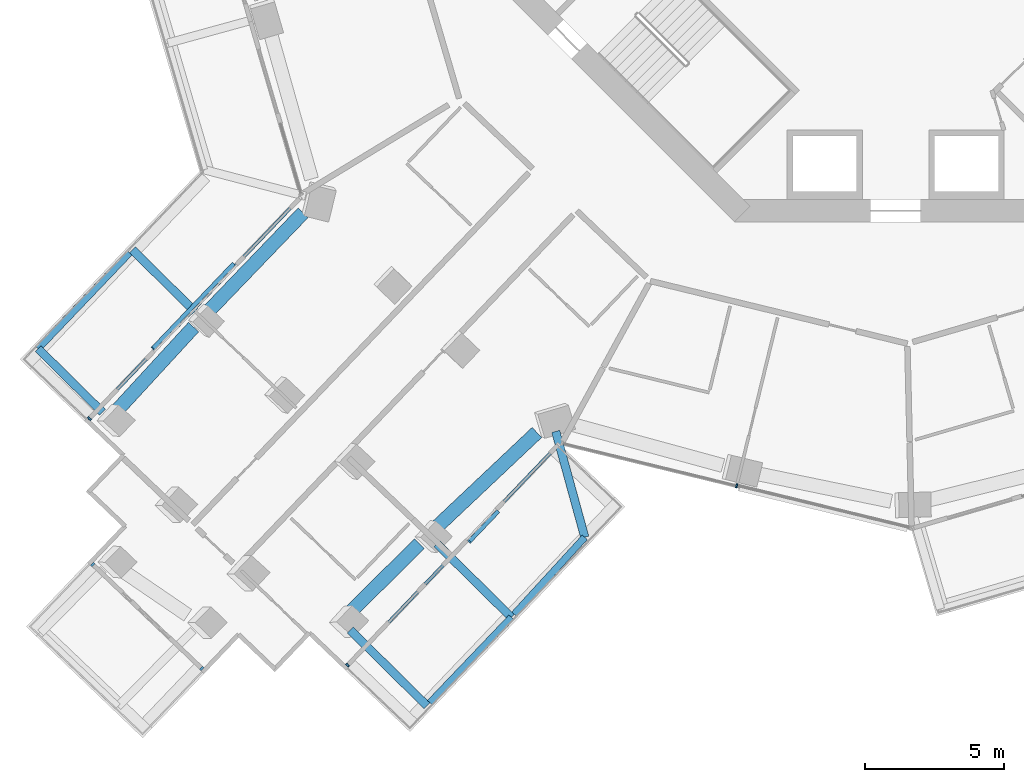
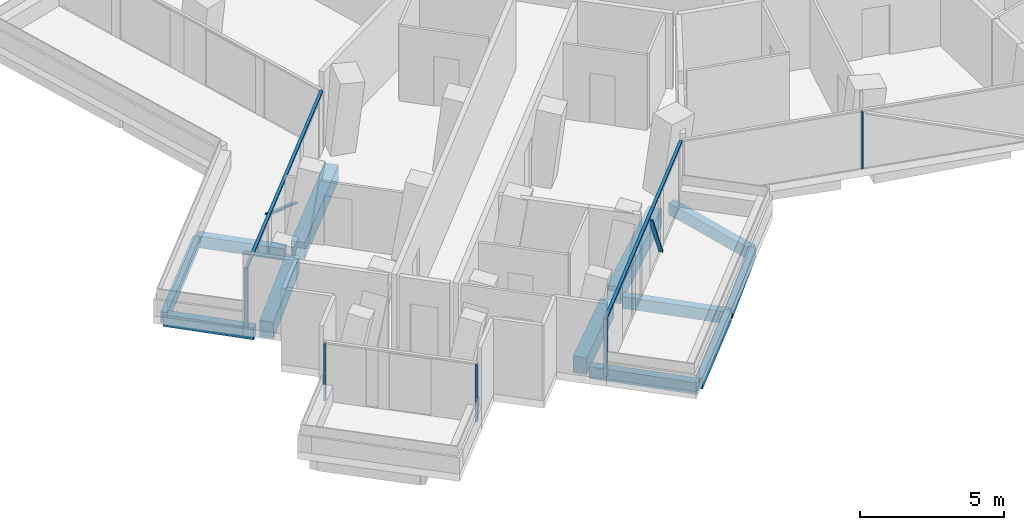
# One storey, part 2 of 25: 12 beams, 9 members, 4 elements without a shape of their own.
"""IFC4 building model written with IfcOpenShell, lengths in metres."""

from ifc_helpers import new_model, si_unit, direction, frame, origin, origin_2d, place, context, subcontext, project, spatial, rectangle, extrude, material, layer, layer_set, material_profile, profile_set, type_object, element, aggregate, save


model = new_model("IFC4")

# Units and contexts
model_context = context("Model", 3, precision=1e-05, world=origin(), true_north=direction((0.0, 1.0)))
body_context = subcontext(model_context, "Body", "Model", "MODEL_VIEW")
ifc_project = project(units=[si_unit("LENGTHUNIT", "METRE"), si_unit("AREAUNIT", "SQUARE_METRE"), si_unit("VOLUMEUNIT", "CUBIC_METRE"), si_unit("PLANEANGLEUNIT", "RADIAN"), si_unit("MASSUNIT", "GRAM", prefix="KILO")], contexts=[model_context])

# Site, building, storey
site_placement = place(None, origin())
site = spatial("IfcSite", under=ifc_project, at=site_placement, CompositionType="ELEMENT")
building_placement = place(site_placement, origin())
building = spatial("IfcBuilding", under=site, at=building_placement, Name="Verdalira Terraces Hotel", CompositionType="ELEMENT")
storey_placement = place(building_placement, frame((0.0, 0.0, 100.0)))
storey = spatial("IfcBuildingStorey", under=building, at=storey_placement, Name="L23", CompositionType="ELEMENT", Elevation=100.0)

# Beams
ifc_material_1 = material(Name="Concrete C40", Category="concrete")
ifc_material_profile_1 = material_profile(ifc_material_1, rectangle(XDim=0.300049, YDim=0.5, at=origin_2d()), Name="RC 300X500")
ifc_profile_set_1 = profile_set([ifc_material_profile_1], Name="Concrete C40")
beam_type_1 = type_object("IfcBeamType", Name="Balcony cantilever beam RC 300X500 C40", PredefinedType="BEAM", material=ifc_profile_set_1)
beam_1_placement = place(storey_placement, frame((-25.218506, -17.221436, -0.560059), z_axis=(-0.711579565, 0.702605524, 0.0), x_axis=(-0.702605524, -0.711579565, 0.0)))
element("IfcBeam", 1, at=beam_1_placement, inside=storey, type_object=beam_type_1, Name="Balcony cantilever beam R13-1", PredefinedType="BEAM", context=body_context, shape_type="SweptSolid", body=[
    extrude(rectangle(XDim=0.300049, YDim=0.5, at=origin_2d()), origin(), (0.0, 0.0, 1.0), 3.155762),
])
beam_2_placement = place(storey_placement, frame((-28.541992, -20.849609, -0.560059), z_axis=(-0.711514164, 0.702671755, 0.0), x_axis=(-0.702671755, -0.711514164, 0.0)))
element("IfcBeam", 2, at=beam_2_placement, inside=storey, type_object=beam_type_1, Name="Balcony cantilever beam R13-2", PredefinedType="BEAM", context=body_context, shape_type="SweptSolid", body=[
    extrude(rectangle(XDim=0.300049, YDim=0.5, at=origin_2d()), origin(), (0.0, 0.0, 1.0), 3.258057),
])
beam_3_placement = place(storey_placement, frame((-19.625732, -28.686523, -0.560059), z_axis=(0.711557606, -0.702627763, 0.0), x_axis=(0.702627763, 0.711557606, 0.0)))
element("IfcBeam", 3, at=beam_3_placement, inside=storey, type_object=beam_type_1, Name="Balcony cantilever beam R24-1", PredefinedType="BEAM", context=body_context, shape_type="SweptSolid", body=[
    extrude(rectangle(XDim=0.300049, YDim=0.5, at=origin_2d()), origin(), (0.0, 0.0, 1.0), 3.882324),
])
beam_4_placement = place(storey_placement, frame((-16.503418, -25.585938, -0.560059), z_axis=(0.711566258, -0.702619001, 0.0), x_axis=(0.702619001, 0.711566258, 0.0)))
element("IfcBeam", 4, at=beam_4_placement, inside=storey, type_object=beam_type_1, Name="Balcony cantilever beam R24-2", PredefinedType="BEAM", context=body_context, shape_type="SweptSolid", body=[
    extrude(rectangle(XDim=0.300049, YDim=0.5, at=origin_2d()), origin(), (0.0, 0.0, 1.0), 3.765625),
])
beam_5_placement = place(storey_placement, frame((-12.230713, -21.539551, -0.560059), z_axis=(0.264853349, -0.964288703, 0.0), x_axis=(0.964288703, 0.264853349, 0.0)))
element("IfcBeam", 5, at=beam_5_placement, inside=storey, type_object=beam_type_1, Name="Balcony cantilever beam R24-3", PredefinedType="BEAM", context=body_context, shape_type="SweptSolid", body=[
    extrude(rectangle(XDim=0.300049, YDim=0.5, at=origin_2d()), origin(), (0.0, 0.0, 1.0), 3.949951),
])
ifc_material_2 = material(Name="Concrete C40", Category="concrete")
ifc_material_profile_2 = material_profile(ifc_material_2, rectangle(XDim=0.25, YDim=0.449951, at=origin_2d()), Name="RC 250X450")
ifc_profile_set_2 = profile_set([ifc_material_profile_2], Name="Concrete C40")
beam_type_2 = type_object("IfcBeamType", Name="Balcony edge beam RC 250X450 C40", PredefinedType="BEAM", material=ifc_profile_set_2)
beam_6_placement = place(storey_placement, frame((-27.567627, -15.112549, -0.534912), z_axis=(-0.69063407, -0.723204385, 0.0), x_axis=(0.723204385, -0.69063407, 0.0)))
element("IfcBeam", 6, at=beam_6_placement, inside=storey, type_object=beam_type_2, Name="Balcony edge beam R13-1", PredefinedType="BEAM", context=body_context, shape_type="SweptSolid", body=[
    extrude(rectangle(XDim=0.25, YDim=0.449951, at=origin_2d()), origin(), (0.0, 0.0, 1.0), 4.767334),
])
beam_7_placement = place(storey_placement, frame((-16.759766, -31.305908, -0.534912), z_axis=(0.690636916, 0.723201667, 0.0), x_axis=(-0.723201667, 0.690636916, 0.0)))
element("IfcBeam", 7, at=beam_7_placement, inside=storey, type_object=beam_type_2, Name="Balcony edge beam R24-1", PredefinedType="BEAM", context=body_context, shape_type="SweptSolid", body=[
    extrude(rectangle(XDim=0.25, YDim=0.449951, at=origin_2d()), origin(), (0.0, 0.0, 1.0), 4.250732),
])
beam_8_placement = place(storey_placement, frame((-13.722656, -28.121094, -0.534912), z_axis=(0.675209774, 0.73762576, 0.0), x_axis=(-0.73762576, 0.675209774, 0.0)))
element("IfcBeam", 8, at=beam_8_placement, inside=storey, type_object=beam_type_2, Name="Balcony edge beam R24-2", PredefinedType="BEAM", context=body_context, shape_type="SweptSolid", body=[
    extrude(rectangle(XDim=0.25, YDim=0.449951, at=origin_2d()), origin(), (0.0, 0.0, 1.0), 3.759033),
])

# Curtain wall, member
ifc_material_3 = material(Name="Clear glass", Category="glass")
ifc_layer_1 = layer(ifc_material_3, 0.14990234375)
ifc_layer_set_1 = layer_set([ifc_layer_1], Name="CW1 curtain wall")
curtain_wall_type_1 = type_object("IfcCurtainWallType", Name="CW1 curtain wall", PredefinedType="NOTDEFINED", material=ifc_layer_set_1)
curtain_wall_1_placement = place(storey_placement, origin())
curtain_wall_1 = element("IfcCurtainWall", 9, at=curtain_wall_1_placement, inside=storey, type_object=curtain_wall_type_1, Name="CW1 curtain wall L23 edge 25", PredefinedType="NOTDEFINED")
ifc_material_4 = material(Name="Terracotta frame", Category="masonry")
ifc_material_profile_3 = material_profile(ifc_material_4, rectangle(XDim=0.060059, YDim=0.149902, at=origin_2d()), Name="MU 60x150")
ifc_profile_set_3 = profile_set([ifc_material_profile_3], Name="Terracotta frame")
member_type_1 = type_object("IfcMemberType", Name="CW1 mullion 60x150", PredefinedType="MULLION", material=ifc_profile_set_3)
member_1_placement = place(storey_placement, frame((-5.719238, -23.497314, 0.0), z_axis=(0.0, 0.0, 1.0), x_axis=(0.971631733, -0.236498997, 0.0)))
member_1 = element("IfcMember", 10, at=member_1_placement, type_object=member_type_1, Name="CW1 mullion", PredefinedType="MULLION", context=body_context, shape_type="SweptSolid", body=[
    extrude(rectangle(XDim=0.060059, YDim=0.149902, at=origin_2d()), origin(), (0.0, 0.0, 1.0), 2.425049),
])
aggregate(curtain_wall_1, [member_1])

ifc_material_5 = material(Name="Clear glass", Category="glass")
ifc_layer_2 = layer(ifc_material_5, 0.14990234375)
ifc_layer_set_2 = layer_set([ifc_layer_2], Name="CW2 curtain wall")
curtain_wall_type_2 = type_object("IfcCurtainWallType", Name="CW2 curtain wall", PredefinedType="NOTDEFINED", material=ifc_layer_set_2)
curtain_wall_2_placement = place(storey_placement, origin())
curtain_wall_2 = element("IfcCurtainWall", 11, at=curtain_wall_2_placement, inside=storey, type_object=curtain_wall_type_2, Name="CW2 curtain wall L23 edge 14", PredefinedType="NOTDEFINED")
ifc_material_6 = material(Name="Terracotta frame", Category="masonry")
ifc_material_profile_4 = material_profile(ifc_material_6, rectangle(XDim=0.070068, YDim=0.149902, at=origin_2d()), Name="MU 70x150")
ifc_profile_set_4 = profile_set([ifc_material_profile_4], Name="Terracotta frame")
member_type_2 = type_object("IfcMemberType", Name="CW2 mullion 70x150", PredefinedType="MULLION", material=ifc_profile_set_4)
member_2_placement = place(storey_placement, frame((-29.013184, -21.078613, 0.0), z_axis=(0.0, 0.0, 1.0), x_axis=(-0.690630006, -0.723208265, 0.0)))
member_2 = element("IfcMember", 12, at=member_2_placement, type_object=member_type_2, Name="CW2 mullion", PredefinedType="MULLION", context=body_context, shape_type="SweptSolid", body=[
    extrude(rectangle(XDim=0.070068, YDim=0.149902, at=origin_2d()), origin(), (0.0, 0.0, 1.0), 2.425049),
])

curtain_wall_3_placement = place(storey_placement, origin())
curtain_wall_3 = element("IfcCurtainWall", 13, at=curtain_wall_3_placement, inside=storey, type_object=curtain_wall_type_2, Name="CW2 curtain wall L23 edge 24", PredefinedType="NOTDEFINED")
member_3_placement = place(storey_placement, frame((-19.719971, -29.953125, 0.0), z_axis=(0.0, 0.0, 1.0), x_axis=(0.690630006, 0.723208265, 0.0)))
member_3 = element("IfcMember", 14, at=member_3_placement, type_object=member_type_2, Name="CW2 mullion", PredefinedType="MULLION", context=body_context, shape_type="SweptSolid", body=[
    extrude(rectangle(XDim=0.070068, YDim=0.149902, at=origin_2d()), origin(), (0.0, 0.0, 1.0), 2.425049),
])

# Member
ifc_material_7 = material(Name="Terracotta frame", Category="masonry")
ifc_material_profile_5 = material_profile(ifc_material_7, rectangle(XDim=0.11499, YDim=0.064941, at=origin_2d()), Name="TR 65x115")
ifc_profile_set_5 = profile_set([ifc_material_profile_5], Name="Terracotta frame")
member_type_3 = type_object("IfcMemberType", Name="CW2 transom 65x115", PredefinedType="USERDEFINED", material=ifc_profile_set_5)
member_4_placement = place(storey_placement, frame((-21.400146, -13.106445, 2.45752), z_axis=(-0.690625906, -0.72321218, 0.0), x_axis=(0.72321218, -0.690625906, 0.0)))
member_4 = element("IfcMember", 15, at=member_4_placement, type_object=member_type_3, Name="CW2 transom", ObjectType="TRANSOM", PredefinedType="USERDEFINED", context=body_context, shape_type="SweptSolid", body=[
    extrude(rectangle(XDim=0.11499, YDim=0.064941, at=origin_2d()), origin(), (0.0, 0.0, 1.0), 11.05835),
])

member_5_placement = place(storey_placement, frame((-19.744141, -29.978516, 2.45752), z_axis=(0.690636933, 0.72320165, 0.0), x_axis=(-0.72320165, 0.690636933, 0.0)))
member_5 = element("IfcMember", 16, at=member_5_placement, type_object=member_type_3, Name="CW2 transom", ObjectType="TRANSOM", PredefinedType="USERDEFINED", context=body_context, shape_type="SweptSolid", body=[
    extrude(rectangle(XDim=0.11499, YDim=0.064941, at=origin_2d()), origin(), (0.0, 0.0, 1.0), 11.058105),
])

# Curtain wall, members
ifc_material_8 = material(Name="Clear glass", Category="glass")
ifc_layer_3 = layer(ifc_material_8, 0.14990234375)
ifc_layer_set_3 = layer_set([ifc_layer_3], Name="CW3 curtain wall")
curtain_wall_type_3 = type_object("IfcCurtainWallType", Name="CW3 curtain wall", PredefinedType="NOTDEFINED", material=ifc_layer_set_3)
curtain_wall_4_placement = place(storey_placement, origin())
curtain_wall_4 = element("IfcCurtainWall", 17, at=curtain_wall_4_placement, inside=storey, type_object=curtain_wall_type_3, Name="CW3 curtain wall L23 edge 19", PredefinedType="NOTDEFINED")
ifc_material_9 = material(Name="Terracotta frame", Category="masonry")
ifc_material_profile_6 = material_profile(ifc_material_9, rectangle(XDim=0.080078, YDim=0.149902, at=origin_2d()), Name="MU 80x150")
ifc_profile_set_6 = profile_set([ifc_material_profile_6], Name="Terracotta frame")
member_type_4 = type_object("IfcMemberType", Name="CW3 mullion 80x150", PredefinedType="MULLION", material=ifc_profile_set_6)
member_6_placement = place(storey_placement, frame((-28.888672, -26.327393, 0.0), z_axis=(0.0, 0.0, 1.0), x_axis=(0.723208265, -0.690630006, 0.0)))
member_6 = element("IfcMember", 18, at=member_6_placement, type_object=member_type_4, Name="CW3 mullion", PredefinedType="MULLION", context=body_context, shape_type="SweptSolid", body=[
    extrude(rectangle(XDim=0.080078, YDim=0.149902, at=origin_2d()), origin(), (0.0, 0.0, 1.0), 2.425049),
])
member_7_placement = place(storey_placement, frame((-24.96875, -30.070557, 0.0), z_axis=(0.0, 0.0, 1.0), x_axis=(0.723208265, -0.690630006, 0.0)))
member_7 = element("IfcMember", 19, at=member_7_placement, type_object=member_type_4, Name="CW3 mullion", PredefinedType="MULLION", context=body_context, shape_type="SweptSolid", body=[
    extrude(rectangle(XDim=0.080078, YDim=0.149902, at=origin_2d()), origin(), (0.0, 0.0, 1.0), 2.425049),
])
aggregate(curtain_wall_4, [member_6, member_7])

# Member
ifc_material_10 = material(Name="Terracotta frame", Category="masonry")
ifc_material_profile_7 = material_profile(ifc_material_10, rectangle(XDim=0.149902, YDim=0.060059, at=origin_2d()), Name="GB 60x150")
ifc_profile_set_7 = profile_set([ifc_material_profile_7], Name="Terracotta frame")
member_type_5 = type_object("IfcMemberType", Name="Diagonal glazing bar 60x150", PredefinedType="USERDEFINED", material=ifc_profile_set_7)
member_8_placement = place(storey_placement, frame((-23.822266, -15.510986, 0.0271), z_axis=(-0.601617314, -0.630034605, 0.491032589), x_axis=(0.723229027, -0.690608264, 0.0)))
member_8 = element("IfcMember", 20, at=member_8_placement, type_object=member_type_5, Name="Diagonal glazing bar", ObjectType="GLAZING BAR", PredefinedType="USERDEFINED", context=body_context, shape_type="SweptSolid", body=[
    extrude(rectangle(XDim=0.149902, YDim=0.060059, at=origin_2d()), origin(), (0.0, 0.0, 1.0), 4.828369),
])

aggregate(curtain_wall_2, [member_2, member_4, member_8])

member_9_placement = place(storey_placement, frame((-15.344727, -25.503418, 2.383545), z_axis=(0.370221316, 0.387645566, -0.844196122), x_axis=(-0.72317289, 0.690667048, 0.0)))
member_9 = element("IfcMember", 21, at=member_9_placement, type_object=member_type_5, Name="Diagonal glazing bar", ObjectType="GLAZING BAR", PredefinedType="USERDEFINED", context=body_context, shape_type="SweptSolid", body=[
    extrude(rectangle(XDim=0.149902, YDim=0.060059, at=origin_2d()), origin(), (0.0, 0.0, 1.0), 2.77417),
])

aggregate(curtain_wall_3, [member_3, member_5, member_9])

# Beams
ifc_material_11 = material(Name="Concrete C70", Category="concrete")
ifc_material_profile_8 = material_profile(ifc_material_11, rectangle(XDim=0.5, YDim=0.699951, at=origin_2d()), Name="RC 500X700")
ifc_profile_set_8 = profile_set([ifc_material_profile_8], Name="Concrete C70")
beam_type_3 = type_object("IfcBeamType", Name="Spandrel beam RC 500X700 C70", PredefinedType="SPANDREL", material=ifc_profile_set_8)
beam_9_placement = place(storey_placement, frame((-21.32251, -13.672607, -0.659912), z_axis=(-0.692975639, -0.720961001, 0.0), x_axis=(0.720961001, -0.692975639, 0.0)))
element("IfcBeam", 22, at=beam_9_placement, inside=storey, type_object=beam_type_3, Name="Spandrel beam B10", PredefinedType="SPANDREL", context=body_context, shape_type="SweptSolid", body=[
    extrude(rectangle(XDim=0.5, YDim=0.699951, at=origin_2d()), origin(), (0.0, 0.0, 1.0), 4.876709),
])
beam_10_placement = place(storey_placement, frame((-25.262939, -17.7854, -0.659912), z_axis=(-0.676797189, -0.736169522, 0.0), x_axis=(0.736169522, -0.676797189, 0.0)))
element("IfcBeam", 23, at=beam_10_placement, inside=storey, type_object=beam_type_3, Name="Spandrel beam B11", PredefinedType="SPANDREL", context=body_context, shape_type="SweptSolid", body=[
    extrude(rectangle(XDim=0.5, YDim=0.699951, at=origin_2d()), origin(), (0.0, 0.0, 1.0), 4.120361),
])
beam_11_placement = place(storey_placement, frame((-19.709717, -28.127197, -0.659912), z_axis=(0.710739798, 0.703455002, 0.0), x_axis=(-0.703455002, 0.710739798, 0.0)))
element("IfcBeam", 24, at=beam_11_placement, inside=storey, type_object=beam_type_3, Name="Spandrel beam B13", PredefinedType="SPANDREL", context=body_context, shape_type="SweptSolid", body=[
    extrude(rectangle(XDim=0.5, YDim=0.699951, at=origin_2d()), origin(), (0.0, 0.0, 1.0), 3.619385),
])
beam_12_placement = place(storey_placement, frame((-16.548584, -25.012451, -0.659912), z_axis=(0.727368844, 0.686246723, 0.0), x_axis=(-0.686246723, 0.727368844, 0.0)))
element("IfcBeam", 25, at=beam_12_placement, inside=storey, type_object=beam_type_3, Name="Spandrel beam B14", PredefinedType="SPANDREL", context=body_context, shape_type="SweptSolid", body=[
    extrude(rectangle(XDim=0.5, YDim=0.699951, at=origin_2d()), origin(), (0.0, 0.0, 1.0), 5.004883),
])

save(model, "model.ifc")
